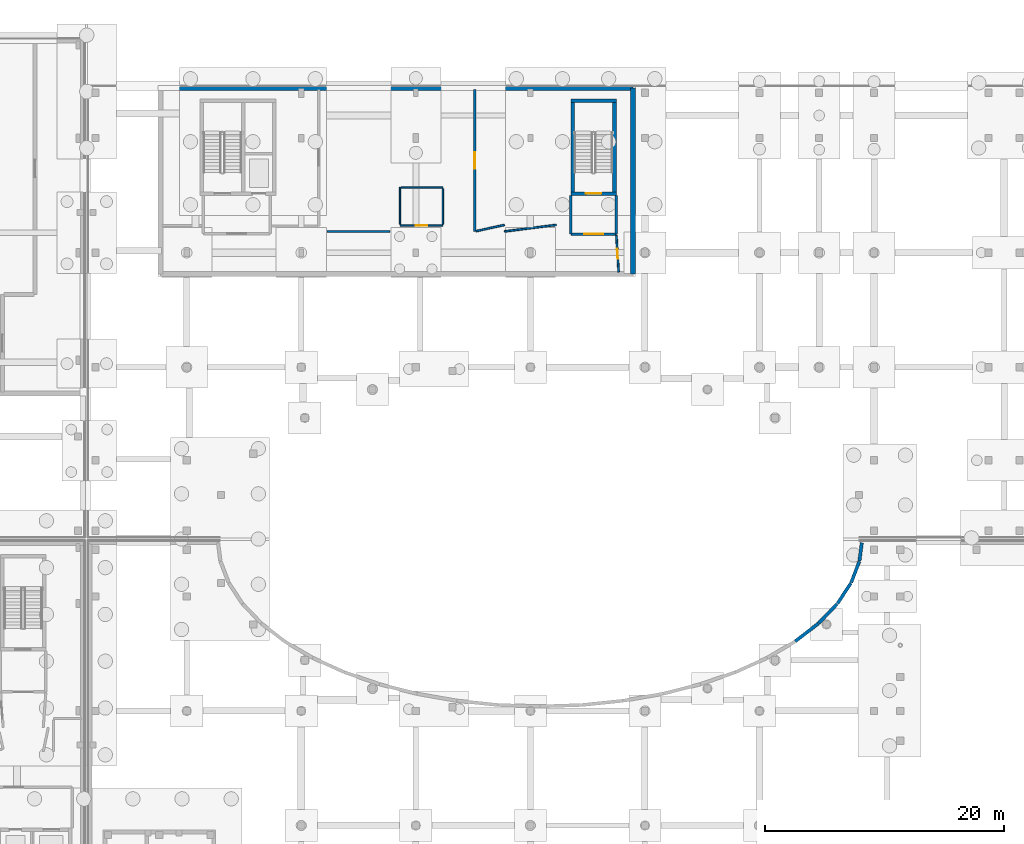
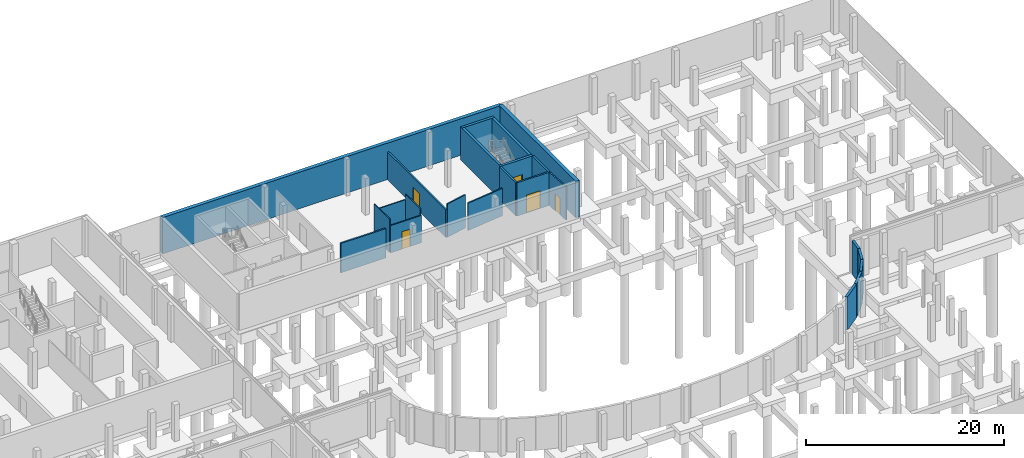
# One storey, part 25 of 40: 23 walls, 5 doors, 5 openings.
"""IFC4 building model written with IfcOpenShell, lengths in metres."""

from ifc_helpers import new_model, si_unit, direction, frame, frame_2d, origin, place, context, subcontext, project, spatial, rectangle, extrude, material, layer, layer_set, type_object, element, fill, save


model = new_model("IFC4")

# Units and contexts
model_context = context("Model", 3, precision=1e-05, world=origin(), true_north=direction((0.0, 1.0)))
body_context = subcontext(model_context, "Body", "Model", "MODEL_VIEW")
ifc_project = project(units=[si_unit("LENGTHUNIT", "METRE"), si_unit("AREAUNIT", "SQUARE_METRE"), si_unit("VOLUMEUNIT", "CUBIC_METRE"), si_unit("PLANEANGLEUNIT", "RADIAN"), si_unit("MASSUNIT", "GRAM", prefix="KILO")], contexts=[model_context])

# Site, building, storey
site_placement = place(None, origin())
site = spatial("IfcSite", under=ifc_project, at=site_placement, CompositionType="ELEMENT")
building_placement = place(site_placement, origin())
building = spatial("IfcBuilding", under=site, at=building_placement, Name="Mzevani Central Library", CompositionType="ELEMENT")
storey_placement = place(building_placement, frame((0.0, 0.0, -4.5)))
storey = spatial("IfcBuildingStorey", under=building, at=storey_placement, Name="B1", CompositionType="ELEMENT", Elevation=-4.5)

# Walls
ifc_material_1 = material(Name="Concrete C35/45", Category="concrete")
ifc_layer_1 = layer(ifc_material_1, 0.419921875, Name="Basement Retaining Wall 420")
ifc_layer_set_1 = layer_set([ifc_layer_1], Name="Concrete C35/45")
wall_type_1 = type_object("IfcWallType", Name="Basement Retaining Wall 420", PredefinedType="SOLIDWALL", material=ifc_layer_set_1)
wall_1_placement = place(storey_placement, frame((52.2099609375, 113.7900390625, 0.0), z_axis=(0.0, 0.0, 1.0), x_axis=(1.0, 0.0, 0.0)))
element("IfcWall", 1, at=wall_1_placement, inside=storey, type_object=wall_type_1, Name="B1 V3 Perimeter Retaining Wall (50)", PredefinedType="SOLIDWALL", context=body_context, shape_type="SweptSolid", body=[
    extrude(rectangle(XDim=39.580078125, YDim=0.419921875, at=frame_2d((19.7900390625, 0.0))), origin(), (0.0, 0.0, 1.0), 4.5),
])
wall_2_placement = place(storey_placement, frame((91.7900390625, 113.7900390625, 0.0), z_axis=(0.0, 0.0, 1.0), x_axis=(0.0, -1.0, 0.0)))
element("IfcWall", 2, at=wall_2_placement, inside=storey, type_object=wall_type_1, Name="B1 V3 Perimeter Retaining Wall (51)", PredefinedType="SOLIDWALL", context=body_context, shape_type="SweptSolid", body=[
    extrude(rectangle(XDim=15.580078125, YDim=0.419921875, at=frame_2d((7.7900390625, 0.0))), origin(), (0.0, 0.0, 1.0), 4.5),
])
ifc_layer_2 = layer(ifc_material_1, 0.199951171875, Name="Compartment Wall 200")
ifc_layer_set_2 = layer_set([ifc_layer_2], Name="Concrete C35/45")
wall_type_2 = type_object("IfcWallType", Name="Compartment Wall 200", PredefinedType="STANDARD", material=ifc_layer_set_2)
wall_3_placement = place(storey_placement, frame((86.60009765625, 104.800048828125, 0.0), z_axis=(0.0, 0.0, 1.0), x_axis=(0.0, -1.0, 0.0)))
element("IfcWall", 3, at=wall_3_placement, inside=storey, type_object=wall_type_2, Name="B1 Stair Vestibule C3B Enclosure Wall 1", PredefinedType="STANDARD", context=body_context, shape_type="SweptSolid", body=[
    extrude(rectangle(XDim=3.25, YDim=0.199951171875, at=frame_2d((1.625, 0.0))), origin(), (0.0, 0.0, 1.0), 4.10009765625),
])

# Wall, opening, door
wall_4_placement = place(storey_placement, frame((86.60009765625, 101.550048828125, 0.0), z_axis=(0.0, 0.0, 1.0), x_axis=(1.0, 0.0, 0.0)))
wall_4 = element("IfcWall", 4, at=wall_4_placement, inside=storey, type_object=wall_type_2, Name="B1 Stair Vestibule C3B Enclosure Wall 2", PredefinedType="STANDARD", context=body_context, shape_type="SweptSolid", body=[
    extrude(rectangle(XDim=3.7998046875, YDim=0.199951171875, at=frame_2d((1.89990234375, 0.0))), origin(), (0.0, 0.0, 1.0), 4.10009765625),
])
opening_1_placement = place(wall_4_placement, frame((1.10009765625, 0.0, 0.0)))
opening_1 = element("IfcOpeningElement", 5, at=opening_1_placement, cuts=wall_4, Name="Opening FD-02", PredefinedType="OPENING", context=body_context, shape_type="SweptSolid", body=[
    extrude(rectangle(XDim=1.60009765625, YDim=2.199951171875, at=frame_2d((0.800048828125, 1.10009765625))), frame((0.0, 0.10986328125, 0.0), z_axis=(0.0, -1.0, 0.0), x_axis=(1.0, 0.0, 0.0)), (0.0, 0.0, 1.0), 0.219970703125),
])
ifc_material_2 = material(Name="Fire-rated steel door assembly", Category="steel")
door_type_1 = type_object("IfcDoorType", Name="Fire Lobby Double Door 1600x2200", OperationType="NOTDEFINED", PredefinedType="DOOR", material=ifc_material_2)
door_1_placement = place(opening_1_placement, origin())
door_1 = element("IfcDoor", 6, at=door_1_placement, inside=storey, type_object=door_type_1, Name="B1 Stair Vestibule C3B Smoke-Control Door", OperationType="DOUBLE_DOOR_SINGLE_SWING", OverallHeight=2.199951171875, OverallWidth=1.60009765625, PredefinedType="DOOR", context=body_context, shape_type="SweptSolid", body=[
    extrude(rectangle(XDim=1.60009765625, YDim=2.199951171875, at=frame_2d((0.800048828125, 1.10009765625))), frame((0.0, 0.02490234375, 0.0), z_axis=(0.0, -1.0, 0.0), x_axis=(1.0, 0.0, 0.0)), (0.0, 0.0, 1.0), 0.050048828125),
])
fill(opening_1, door_1)

# Wall
wall_5_placement = place(storey_placement, frame((90.39990234375, 101.550048828125, 0.0), z_axis=(0.0, 0.0, 1.0), x_axis=(0.0, 1.0, 0.0)))
element("IfcWall", 7, at=wall_5_placement, inside=storey, type_object=wall_type_2, Name="B1 Stair Vestibule C3B Enclosure Wall 3", PredefinedType="STANDARD", context=body_context, shape_type="SweptSolid", body=[
    extrude(rectangle(XDim=3.25, YDim=0.199951171875, at=frame_2d((1.625, 0.0))), origin(), (0.0, 0.0, 1.0), 4.10009765625),
])

# Wall, opening, door
ifc_material_3 = material(Name="Concrete C40/50", Category="concrete")
ifc_layer_3 = layer(ifc_material_3, 0.300048828125, Name="Core Shear Wall 300")
ifc_layer_set_3 = layer_set([ifc_layer_3], Name="Concrete C40/50")
wall_type_3 = type_object("IfcWallType", Name="Core Shear Wall 300", PredefinedType="SHEAR", material=ifc_layer_set_3)
wall_6_placement = place(storey_placement, frame((90.39990234375, 104.949951171875, 0.0), z_axis=(0.0, 0.0, 1.0), x_axis=(-1.0, 0.0, 0.0)))
wall_6 = element("IfcWall", 8, at=wall_6_placement, inside=storey, type_object=wall_type_3, Name="B1 Core C3B Atrium East Escape Stair Shear Wall (-y)", PredefinedType="SHEAR", context=body_context, shape_type="SweptSolid", body=[
    extrude(rectangle(XDim=3.7998046875, YDim=0.300048828125, at=frame_2d((1.89990234375, 0.0))), origin(), (0.0, 0.0, 1.0), 4.10009765625),
])
opening_2_placement = place(wall_6_placement, frame((1.25, 0.0, 0.0)))
opening_2 = element("IfcOpeningElement", 9, at=opening_2_placement, cuts=wall_6, Name="Opening FD-01", PredefinedType="OPENING", context=body_context, shape_type="SweptSolid", body=[
    extrude(rectangle(XDim=1.300048828125, YDim=2.199951171875, at=frame_2d((0.64990234375, 1.10009765625))), frame((0.0, 0.16015625, 0.0), z_axis=(0.0, -1.0, 0.0), x_axis=(1.0, 0.0, 0.0)), (0.0, 0.0, 1.0), 0.320068359375),
])
door_type_2 = type_object("IfcDoorType", Name="Fire Stair Door 1300x2200", OperationType="NOTDEFINED", PredefinedType="DOOR", material=ifc_material_2)
door_2_placement = place(opening_2_placement, origin())
door_2 = element("IfcDoor", 10, at=door_2_placement, inside=storey, type_object=door_type_2, Name="B1 ST-06 Protected Exit Stair Door", OperationType="SINGLE_SWING_RIGHT", OverallHeight=2.199951171875, OverallWidth=1.300048828125, PredefinedType="DOOR", context=body_context, shape_type="SweptSolid", body=[
    extrude(rectangle(XDim=1.300048828125, YDim=2.199951171875, at=frame_2d((0.64990234375, 1.10009765625))), frame((0.0, 0.02490234375, 0.0), z_axis=(0.0, -1.0, 0.0), x_axis=(1.0, 0.0, 0.0)), (0.0, 0.0, 1.0), 0.050048828125),
])
fill(opening_2, door_2)

# Walls
wall_7_placement = place(storey_placement, frame((86.75, 104.800048828125, 0.0), z_axis=(0.0, 0.0, 1.0), x_axis=(0.0, 1.0, 0.0)))
element("IfcWall", 11, at=wall_7_placement, inside=storey, type_object=wall_type_3, Name="B1 Core C3B Atrium East Escape Stair Shear Wall (-x)", PredefinedType="SHEAR", context=body_context, shape_type="SweptSolid", body=[
    extrude(rectangle(XDim=8.099853515625, YDim=0.300048828125, at=frame_2d((4.0498046875, 0.0))), origin(), (0.0, 0.0, 1.0), 4.10009765625),
])
wall_8_placement = place(storey_placement, frame((86.60009765625, 112.75, 0.0), z_axis=(0.0, 0.0, 1.0), x_axis=(1.0, 0.0, 0.0)))
element("IfcWall", 12, at=wall_8_placement, inside=storey, type_object=wall_type_3, Name="B1 Core C3B Atrium East Escape Stair Shear Wall (+y)", PredefinedType="SHEAR", context=body_context, shape_type="SweptSolid", body=[
    extrude(rectangle(XDim=3.7998046875, YDim=0.300048828125, at=frame_2d((1.89990234375, 0.0))), origin(), (0.0, 0.0, 1.0), 4.10009765625),
])
wall_9_placement = place(storey_placement, frame((90.25, 112.89990234375, 0.0), z_axis=(0.0, 0.0, 1.0), x_axis=(0.0, -1.0, 0.0)))
element("IfcWall", 13, at=wall_9_placement, inside=storey, type_object=wall_type_3, Name="B1 Core C3B Atrium East Escape Stair Shear Wall (+x)", PredefinedType="SHEAR", context=body_context, shape_type="SweptSolid", body=[
    extrude(rectangle(XDim=8.099853515625, YDim=0.300048828125, at=frame_2d((4.0498046875, 0.0))), origin(), (0.0, 0.0, 1.0), 4.10009765625),
])
ifc_material_4 = material(Name="Precast concrete C40/50", Category="concrete")
ifc_layer_4 = layer(ifc_material_4, 0.280029296875, Name="Court Spandrel Wall 280")
ifc_layer_set_4 = layer_set([ifc_layer_4], Name="Precast concrete C40/50")
wall_type_4 = type_object("IfcWallType", Name="Court Spandrel Wall 280", PredefinedType="STANDARD", material=ifc_layer_set_4)
wall_10_placement = place(storey_placement, frame((105.39013671875, 67.42529296875, 0.0), z_axis=(0.0, 0.0, 1.0), x_axis=(0.791815172507, 0.610760781802, 0.0)))
element("IfcWall", 14, at=wall_10_placement, inside=storey, type_object=wall_type_4, Name="B1 V1 Perimeter Plinth Wall (29)", PredefinedType="STANDARD", context=body_context, shape_type="SweptSolid", body=[
    extrude(rectangle(XDim=2.45947265625, YDim=0.280029296875, at=frame_2d((1.229736328125, 0.0))), origin(), (0.0, 0.0, 1.0), 4.10009765625),
])
wall_11_placement = place(storey_placement, frame((107.361083984375, 68.94873046875, 0.0), z_axis=(0.0, 0.0, 1.0), x_axis=(0.691368458863, 0.722502355767, 0.0)))
element("IfcWall", 15, at=wall_11_placement, inside=storey, type_object=wall_type_4, Name="B1 V1 Perimeter Plinth Wall (30)", PredefinedType="STANDARD", context=body_context, shape_type="SweptSolid", body=[
    extrude(rectangle(XDim=2.24267578125, YDim=0.280029296875, at=frame_2d((1.121337890625, 0.0))), origin(), (0.0, 0.0, 1.0), 4.10009765625),
])
wall_12_placement = place(storey_placement, frame((108.935302734375, 70.5986328125, 0.0), z_axis=(0.0, 0.0, 1.0), x_axis=(0.550071659346, 0.835117458556, 0.0)))
element("IfcWall", 16, at=wall_12_placement, inside=storey, type_object=wall_type_4, Name="B1 V1 Perimeter Plinth Wall (31)", PredefinedType="STANDARD", context=body_context, shape_type="SweptSolid", body=[
    extrude(rectangle(XDim=2.048828125, YDim=0.280029296875, at=frame_2d((1.0244140625, 0.0))), origin(), (0.0, 0.0, 1.0), 4.10009765625),
])
wall_13_placement = place(storey_placement, frame((110.082763671875, 72.349609375, 0.0), z_axis=(0.0, 0.0, 1.0), x_axis=(0.360038302589, 0.932937522382, 0.0)))
element("IfcWall", 17, at=wall_13_placement, inside=storey, type_object=wall_type_4, Name="B1 V1 Perimeter Plinth Wall (32)", PredefinedType="STANDARD", context=body_context, shape_type="SweptSolid", body=[
    extrude(rectangle(XDim=1.8994140625, YDim=0.280029296875, at=frame_2d((0.94970703125, 0.0))), origin(), (0.0, 0.0, 1.0), 4.10009765625),
])
wall_14_placement = place(storey_placement, frame((110.779052734375, 74.170654296875, 0.0), z_axis=(0.0, 0.0, 1.0), x_axis=(0.126251427539, 0.991998274718, 0.0)))
element("IfcWall", 18, at=wall_14_placement, inside=storey, type_object=wall_type_4, Name="B1 V1 Perimeter Plinth Wall (33)", PredefinedType="STANDARD", context=body_context, shape_type="SweptSolid", body=[
    extrude(rectangle(XDim=1.531494140625, YDim=0.280029296875, at=frame_2d((0.765625, 0.0))), origin(), (0.0, 0.0, 1.0), 4.10009765625),
])

# Wall, opening, door
ifc_material_5 = material(Name="Fire-rated gypsum board", Category="gypsum")
ifc_layer_5 = layer(ifc_material_5, 0.1201171875, Name="Partition Acoustic 120")
ifc_layer_set_5 = layer_set([ifc_layer_5], Name="Fire-rated gypsum board")
wall_type_5 = type_object("IfcWallType", Name="Partition Acoustic 120", PredefinedType="PARTITIONING", material=ifc_layer_set_5)
wall_15_placement = place(storey_placement, frame((75.875, 102.27490234375, 0.0), z_axis=(0.0, 0.0, 1.0), x_axis=(-1.0, 0.0, 0.0)))
wall_15 = element("IfcWall", 19, at=wall_15_placement, inside=storey, type_object=wall_type_5, Name="B1 V3 Partition IW-02 (26)", PredefinedType="PARTITIONING", context=body_context, shape_type="SweptSolid", body=[
    extrude(rectangle(XDim=3.60009765625, YDim=0.1201171875, at=frame_2d((1.800048828125, 0.0))), origin(), (0.0, 0.0, 1.0), 3.3798828125),
])
opening_3_placement = place(wall_15_placement, frame((1.324951171875, 0.0, 0.0)))
opening_3 = element("IfcOpeningElement", 20, at=opening_3_placement, cuts=wall_15, Name="Opening ID-02", PredefinedType="OPENING", context=body_context, shape_type="SweptSolid", body=[
    extrude(rectangle(XDim=0.949951171875, YDim=2.14990234375, at=frame_2d((0.47509765625, 1.074951171875))), frame((0.0, 0.070068359375, 0.0), z_axis=(0.0, -1.0, 0.0), x_axis=(1.0, 0.0, 0.0)), (0.0, 0.0, 1.0), 0.14013671875),
])
ifc_material_6 = material(Name="Fire-rated solid oak leaf")
door_type_3 = type_object("IfcDoorType", Name="Accessible WC Door 950x2150", OperationType="NOTDEFINED", PredefinedType="DOOR", material=ifc_material_6)
door_3_placement = place(opening_3_placement, origin())
door_3 = element("IfcDoor", 21, at=door_3_placement, inside=storey, type_object=door_type_3, Name="B1 Accessible WC and Public Toilet V3 Door", OperationType="SINGLE_SWING_LEFT", OverallHeight=2.14990234375, OverallWidth=0.949951171875, PredefinedType="DOOR", context=body_context, shape_type="SweptSolid", body=[
    extrude(rectangle(XDim=0.949951171875, YDim=2.14990234375, at=frame_2d((0.47509765625, 1.074951171875))), frame((0.0, 0.02490234375, 0.0), z_axis=(0.0, -1.0, 0.0), x_axis=(1.0, 0.0, 0.0)), (0.0, 0.0, 1.0), 0.050048828125),
])
fill(opening_3, door_3)

# Walls
wall_16_placement = place(storey_placement, frame((72.27490234375, 102.375, 0.0), z_axis=(0.0, 0.0, 1.0), x_axis=(0.0, 1.0, 0.0)))
element("IfcWall", 22, at=wall_16_placement, inside=storey, type_object=wall_type_5, Name="B1 V3 Partition IW-02 (27)", PredefinedType="PARTITIONING", context=body_context, shape_type="SweptSolid", body=[
    extrude(rectangle(XDim=3.10009765625, YDim=0.1201171875, at=frame_2d((1.550048828125, 0.0))), origin(), (0.0, 0.0, 1.0), 4.10009765625),
])
wall_17_placement = place(storey_placement, frame((72.375, 105.47509765625, 0.0), z_axis=(0.0, 0.0, 1.0), x_axis=(1.0, 0.0, 0.0)))
element("IfcWall", 23, at=wall_17_placement, inside=storey, type_object=wall_type_5, Name="B1 V3 Partition IW-02 (28)", PredefinedType="PARTITIONING", context=body_context, shape_type="SweptSolid", body=[
    extrude(rectangle(XDim=3.5, YDim=0.1201171875, at=frame_2d((1.75, 0.0))), origin(), (0.0, 0.0, 1.0), 3.3798828125),
])
wall_18_placement = place(storey_placement, frame((75.875, 105.375, 0.0), z_axis=(0.0, 0.0, 1.0), x_axis=(0.0, -1.0, 0.0)))
element("IfcWall", 24, at=wall_18_placement, inside=storey, type_object=wall_type_5, Name="B1 V3 Partition IW-02 (29)", PredefinedType="PARTITIONING", context=body_context, shape_type="SweptSolid", body=[
    extrude(rectangle(XDim=3.0, YDim=0.1201171875, at=frame_2d((1.5, 0.0))), origin(), (0.0, 0.0, 1.0), 4.10009765625),
])

# Wall, opening, door
ifc_layer_6 = layer(ifc_material_5, 0.14990234375, Name="Partition Study 150")
ifc_layer_set_6 = layer_set([ifc_layer_6], Name="Fire-rated gypsum board")
wall_type_6 = type_object("IfcWallType", Name="Partition Study 150", PredefinedType="PARTITIONING", material=ifc_layer_set_6)
wall_19_placement = place(storey_placement, frame((90.60009765625, 98.3798828125, 0.0), z_axis=(0.0, 0.0, 1.0), x_axis=(-0.063010671556, 0.998012853259, 0.0)))
wall_19 = element("IfcWall", 25, at=wall_19_placement, inside=storey, type_object=wall_type_6, Name="B1 V3 Partition IW-03 (35)", PredefinedType="PARTITIONING", context=body_context, shape_type="SweptSolid", body=[
    extrude(rectangle(XDim=3.076416015625, YDim=0.14990234375, at=frame_2d((1.5380859375, 0.0))), origin(), (0.0, 0.0, 1.0), 4.10009765625),
])
opening_4_placement = place(wall_19_placement, frame((1.11328125, 0.0, 0.0)))
opening_4 = element("IfcOpeningElement", 26, at=opening_4_placement, cuts=wall_19, Name="Opening FD-08", PredefinedType="OPENING", context=body_context, shape_type="SweptSolid", body=[
    extrude(rectangle(XDim=0.85009765625, YDim=2.10009765625, at=frame_2d((0.425048828125, 1.050048828125))), frame((0.0, 0.0849609375, 0.0), z_axis=(0.0, -1.0, 0.0), x_axis=(1.0, 0.0, 0.0)), (0.0, 0.0, 1.0), 0.169921875),
])
door_type_4 = type_object("IfcDoorType", Name="Service Riser Fire Door 850x2100", OperationType="NOTDEFINED", PredefinedType="DOOR", material=ifc_material_2)
door_4_placement = place(opening_4_placement, origin())
door_4 = element("IfcDoor", 27, at=door_4_placement, inside=storey, type_object=door_type_4, Name="B1 Automated Book Sorter Room Door", OperationType="SINGLE_SWING_RIGHT", OverallHeight=2.10009765625, OverallWidth=0.85009765625, PredefinedType="DOOR", context=body_context, shape_type="SweptSolid", body=[
    extrude(rectangle(XDim=0.85009765625, YDim=2.10009765625, at=frame_2d((0.425048828125, 1.050048828125))), frame((0.0, 0.02490234375, 0.0), z_axis=(0.0, -1.0, 0.0), x_axis=(1.0, 0.0, 0.0)), (0.0, 0.0, 1.0), 0.050048828125),
])
fill(opening_4, door_4)

# Walls
wall_20_placement = place(storey_placement, frame((85.375, 102.324951171875, 0.0), z_axis=(0.0, 0.0, 1.0), x_axis=(-0.992245286586, -0.124295177891, 0.0)))
element("IfcWall", 28, at=wall_20_placement, inside=storey, type_object=wall_type_6, Name="B1 V3 Partition IW-03 (36)", PredefinedType="PARTITIONING", context=body_context, shape_type="SweptSolid", body=[
    extrude(rectangle(XDim=4.384033203125, YDim=0.14990234375, at=frame_2d((2.19189453125, 0.0))), origin(), (0.0, 0.0, 1.0), 3.3798828125),
])
wall_21_placement = place(storey_placement, frame((81.02490234375, 102.324951171875, 0.0), z_axis=(0.0, 0.0, 1.0), x_axis=(-0.976794321877, -0.214179487227, 0.0)))
element("IfcWall", 29, at=wall_21_placement, inside=storey, type_object=wall_type_6, Name="B1 V3 Partition IW-03 (37)", PredefinedType="PARTITIONING", context=body_context, shape_type="SweptSolid", body=[
    extrude(rectangle(XDim=2.44384765625, YDim=0.14990234375, at=frame_2d((1.221923828125, 0.0))), origin(), (0.0, 0.0, 1.0), 4.10009765625),
])
ifc_material_7 = material(Name="Concrete blockwork masonry", Category="masonry")
ifc_layer_7 = layer(ifc_material_7, 0.179931640625, Name="Shaft Enclosure Wall 180")
ifc_layer_set_7 = layer_set([ifc_layer_7], Name="Concrete blockwork masonry")
wall_type_7 = type_object("IfcWallType", Name="Shaft Enclosure Wall 180", PredefinedType="PARTITIONING", material=ifc_layer_set_7)
wall_22_placement = place(storey_placement, frame((71.425048828125, 101.780029296875, 0.0), z_axis=(0.0, 0.0, 1.0), x_axis=(-1.0, 0.0, 0.0)))
element("IfcWall", 30, at=wall_22_placement, inside=storey, type_object=wall_type_7, Name="B1 V3 Partition IW-04 (33)", PredefinedType="PARTITIONING", context=body_context, shape_type="SweptSolid", body=[
    extrude(rectangle(XDim=5.275146484375, YDim=0.179931640625, at=frame_2d((2.6376953125, 0.0))), origin(), (0.0, 0.0, 1.0), 3.6298828125),
])

# Wall, opening, door
wall_23_placement = place(storey_placement, frame((78.5400390625, 113.68994140625, 0.0), z_axis=(0.0, 0.0, 1.0), x_axis=(0.0, -1.0, 0.0)))
wall_23 = element("IfcWall", 31, at=wall_23_placement, inside=storey, type_object=wall_type_7, Name="B1 V3 Partition IW-04 (34)", PredefinedType="PARTITIONING", context=body_context, shape_type="SweptSolid", body=[
    extrude(rectangle(XDim=11.909912109375, YDim=0.179931640625, at=frame_2d((5.955078125, 0.0))), origin(), (0.0, 0.0, 1.0), 3.429931640625),
])
opening_5_placement = place(wall_23_placement, frame((5.2548828125, 0.0, 0.0)))
opening_5 = element("IfcOpeningElement", 32, at=opening_5_placement, cuts=wall_23, Name="Opening ID-10", PredefinedType="OPENING", context=body_context, shape_type="SweptSolid", body=[
    extrude(rectangle(XDim=1.39990234375, YDim=2.199951171875, at=frame_2d((0.699951171875, 1.10009765625))), frame((0.0, 0.10009765625, 0.0), z_axis=(0.0, -1.0, 0.0), x_axis=(1.0, 0.0, 0.0)), (0.0, 0.0, 1.0), 0.199951171875),
])
door_type_5 = type_object("IfcDoorType", Name="Plant Room Double Door 1400x2200", OperationType="NOTDEFINED", PredefinedType="DOOR", material=ifc_material_2)
door_5_placement = place(opening_5_placement, origin())
door_5 = element("IfcDoor", 33, at=door_5_placement, inside=storey, type_object=door_type_5, Name="B1 Air Handling Plant Room North Door", OperationType="DOUBLE_DOOR_SINGLE_SWING", OverallHeight=2.199951171875, OverallWidth=1.39990234375, PredefinedType="DOOR", context=body_context, shape_type="SweptSolid", body=[
    extrude(rectangle(XDim=1.39990234375, YDim=2.199951171875, at=frame_2d((0.699951171875, 1.10009765625))), frame((0.0, 0.02490234375, 0.0), z_axis=(0.0, -1.0, 0.0), x_axis=(1.0, 0.0, 0.0)), (0.0, 0.0, 1.0), 0.050048828125),
])
fill(opening_5, door_5)

save(model, "model.ifc")
